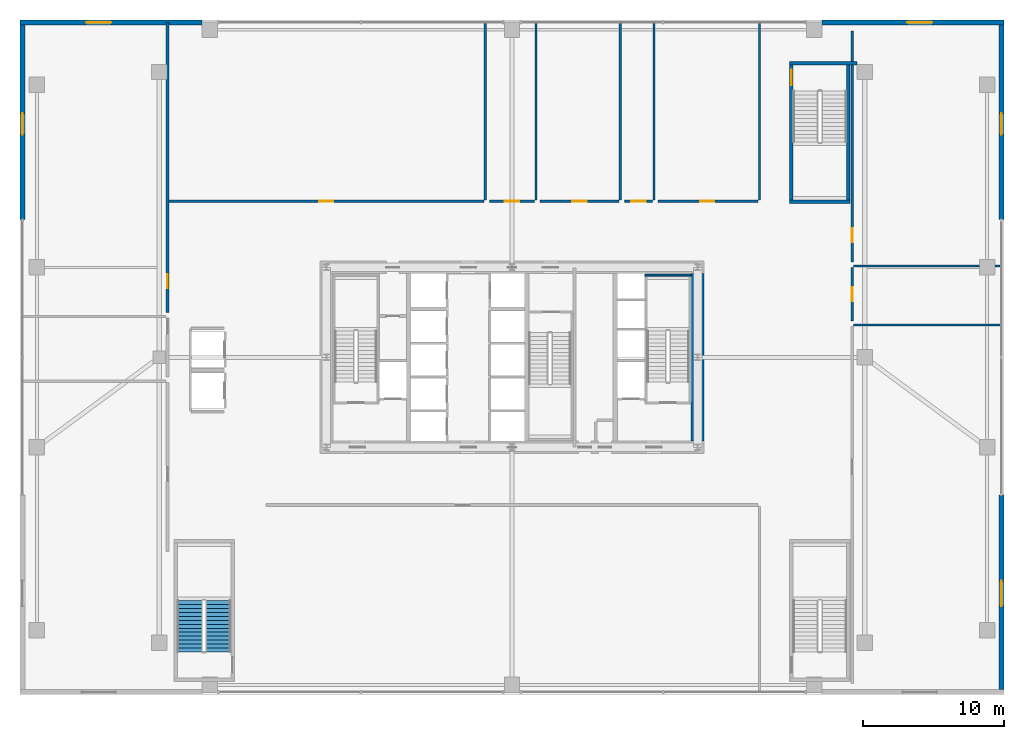
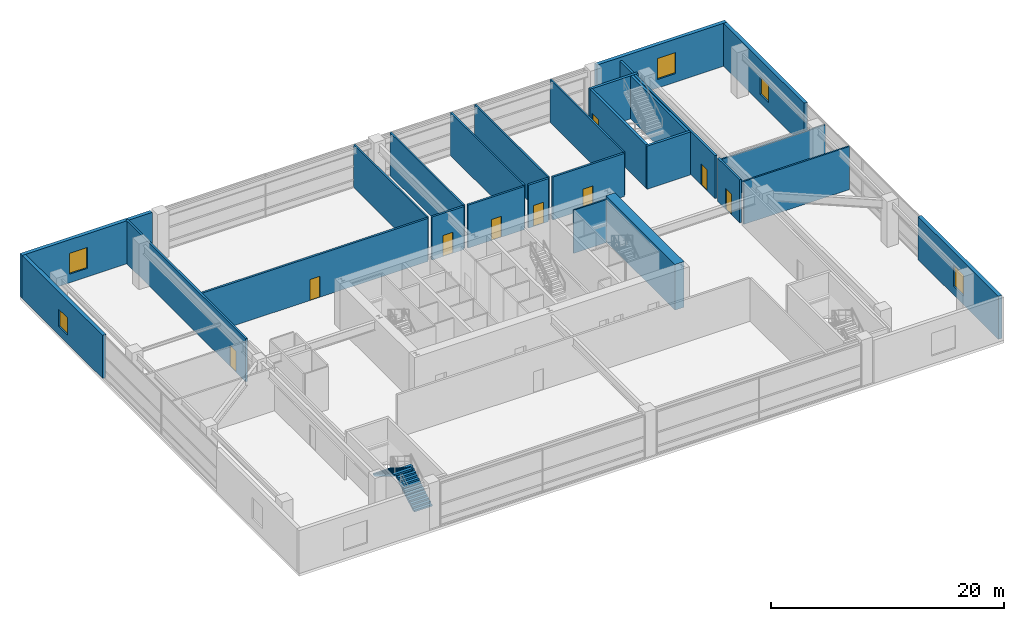
# One storey, part 35 of 38: 26 walls, 9 doors, 5 windows, 2 stair flights, 14 openings, 1 element without a shape of its own.
"""IFC4 building model written with IfcOpenShell, lengths in metres."""

from ifc_helpers import new_model, si_unit, direction, frame, frame_2d, origin, place, context, subcontext, project, spatial, polyline, rectangle, outline, extrude, source, transform, mapped, material, layer, layer_set, type_object, element, fill, aggregate, save


model = new_model("IFC4")

# Units and contexts
model_context = context("Model", 3, precision=1e-05, world=origin(), true_north=direction((0.0, 1.0)))
body_context = subcontext(model_context, "Body", "Model", "MODEL_VIEW")
ifc_project = project(units=[si_unit("LENGTHUNIT", "METRE"), si_unit("AREAUNIT", "SQUARE_METRE"), si_unit("VOLUMEUNIT", "CUBIC_METRE"), si_unit("PLANEANGLEUNIT", "RADIAN"), si_unit("MASSUNIT", "GRAM", prefix="KILO"), si_unit("THERMODYNAMICTEMPERATUREUNIT", "KELVIN"), si_unit("POWERUNIT", "WATT")], contexts=[model_context])

# Site, building, storey
site_placement = place(None, origin())
site = spatial("IfcSite", under=ifc_project, at=site_placement, CompositionType="ELEMENT")
building_placement = place(site_placement, origin())
building = spatial("IfcBuilding", under=site, at=building_placement, Name="Yuzanri Waterfront Tower", CompositionType="ELEMENT")
storey_placement = place(building_placement, frame((0.0, 0.0, 10.199951171875)))
storey = spatial("IfcBuildingStorey", under=building, at=storey_placement, Name="L03", CompositionType="ELEMENT", Elevation=10.199951171875)

# Wall, opening, door
ifc_material_1 = material(Name="Autoclaved Aerated Concrete Blockwork", Category="masonry")
ifc_layer_1 = layer(ifc_material_1, 0.199951171875)
ifc_layer_set_1 = layer_set([ifc_layer_1], Name="Autoclaved Aerated Concrete Blockwork")
wall_type_1 = type_object("IfcWallType", Name="Corridor and Unit Party Fire Wall 200", PredefinedType="PARTITIONING", material=ifc_layer_set_1)
wall_1_placement = place(storey_placement, frame((12.5, 29.0, 0.0), z_axis=(0.0, 0.0, 1.0), x_axis=(0.0, 1.0, 0.0)))
wall_1 = element("IfcWall", 1, at=wall_1_placement, inside=storey, type_object=wall_type_1, Name="L03 Partition PRW-L03-028-E", PredefinedType="PARTITIONING", context=body_context, shape_type="SweptSolid", body=[
    extrude(rectangle(XDim=20.6201171875, YDim=0.199951171875, at=frame_2d((10.31005859375, 0.0))), origin(), (0.0, 0.0, 1.0), 4.52001953125),
])
opening_1_placement = place(wall_1_placement, frame((1.699951171875, 0.0, 0.0)))
opening_1 = element("IfcOpeningElement", 2, at=opening_1_placement, cuts=wall_1, Name="Opening FD-1000", PredefinedType="OPENING", context=body_context, shape_type="SweptSolid", body=[
    extrude(rectangle(XDim=1.0, YDim=2.199951171875, at=frame_2d((0.5, 1.10009765625))), frame((0.0, 0.11474609375, 0.0), z_axis=(0.0, -1.0, 0.0), x_axis=(1.0, 0.0, 0.0)), (0.0, 0.0, 1.0), 0.229736328125),
])
ifc_material_2 = material(Name="Engineered Oak Fire-Rated Timber", Category="wood")
door_type_1 = type_object("IfcDoorType", Name="Guestroom and Apartment Entrance Fire Door 1000x2200", OperationType="NOTDEFINED", PredefinedType="DOOR", material=ifc_material_2)
shared_shape_1 = source(origin(), body_context, "Body", "SweptSolid", [
    extrude(rectangle(XDim=1.0, YDim=2.199951171875, at=frame_2d((0.5, 1.10009765625))), frame((0.0, 0.02490234375, 0.0), z_axis=(0.0, -1.0, 0.0), x_axis=(1.0, 0.0, 0.0)), (0.0, 0.0, 1.0), 0.050048828125),
])
door_1_placement = place(opening_1_placement, origin())
door_1 = element("IfcDoor", 3, at=door_1_placement, inside=storey, type_object=door_type_1, Name="L03 Banquet Cold Larder Store", OperationType="SINGLE_SWING_RIGHT", OverallHeight=2.199951171875, OverallWidth=1.0, PredefinedType="DOOR", context=body_context, shape_type="MappedRepresentation", body=[
    mapped(shared_shape_1, transform((0.0, 0.0, 0.0), scale=1.0)),
])
fill(opening_1, door_1)

wall_2_placement = place(storey_placement, frame((61.199951171875, 28.39990234375, 0.0), z_axis=(0.0, 0.0, 1.0), x_axis=(0.0, 1.0, 0.0)))
wall_2 = element("IfcWall", 4, at=wall_2_placement, inside=storey, type_object=wall_type_1, Name="L03 Partition PRW-L03-030-W", PredefinedType="PARTITIONING", context=body_context, shape_type="SweptSolid", body=[
    extrude(rectangle(XDim=3.800048828125, YDim=0.199951171875, at=frame_2d((1.89990234375, 0.0))), origin(), (0.0, 0.0, 1.0), 4.52001953125),
])
opening_2_placement = place(wall_2_placement, frame((1.39990234375, 0.0, 0.0)))
opening_2 = element("IfcOpeningElement", 5, at=opening_2_placement, cuts=wall_2, Name="Opening FD-1000", PredefinedType="OPENING", context=body_context, shape_type="SweptSolid", body=[
    extrude(rectangle(XDim=1.0, YDim=2.199951171875, at=frame_2d((0.5, 1.10009765625))), frame((0.0, 0.11474609375, 0.0), z_axis=(0.0, -1.0, 0.0), x_axis=(1.0, 0.0, 0.0)), (0.0, 0.0, 1.0), 0.229736328125),
])
door_2_placement = place(opening_2_placement, origin())
door_2 = element("IfcDoor", 6, at=door_2_placement, inside=storey, type_object=door_type_1, Name="L03 Brasserie Pastry Kitchen", OperationType="SINGLE_SWING_RIGHT", OverallHeight=2.199951171875, OverallWidth=1.0, PredefinedType="DOOR", context=body_context, shape_type="MappedRepresentation", body=[
    mapped(shared_shape_1, transform((0.0, 0.0, 0.0), scale=1.0)),
])
fill(opening_2, door_2)

wall_3_placement = place(storey_placement, frame((61.199951171875, 32.60009765625, 0.0), z_axis=(0.0, 0.0, 1.0), x_axis=(0.0, 1.0, 0.0)))
wall_3 = element("IfcWall", 7, at=wall_3_placement, inside=storey, type_object=wall_type_1, Name="L03 Partition PRW-L03-031-W", PredefinedType="PARTITIONING", context=body_context, shape_type="SweptSolid", body=[
    extrude(rectangle(XDim=16.39990234375, YDim=0.199951171875, at=frame_2d((8.199951171875, 0.0))), origin(), (0.0, 0.0, 1.0), 4.52001953125),
])
opening_3_placement = place(wall_3_placement, frame((1.39990234375, 0.0, 0.0)))
opening_3 = element("IfcOpeningElement", 8, at=opening_3_placement, cuts=wall_3, Name="Opening FD-1000", PredefinedType="OPENING", context=body_context, shape_type="SweptSolid", body=[
    extrude(rectangle(XDim=1.0, YDim=2.199951171875, at=frame_2d((0.5, 1.10009765625))), frame((0.0, 0.11474609375, 0.0), z_axis=(0.0, -1.0, 0.0), x_axis=(1.0, 0.0, 0.0)), (0.0, 0.0, 1.0), 0.229736328125),
])
door_3_placement = place(opening_3_placement, origin())
door_3 = element("IfcDoor", 9, at=door_3_placement, inside=storey, type_object=door_type_1, Name="L03 Dry Beverage Store", OperationType="SINGLE_SWING_LEFT", OverallHeight=2.199951171875, OverallWidth=1.0, PredefinedType="DOOR", context=body_context, shape_type="MappedRepresentation", body=[
    mapped(shared_shape_1, transform((0.0, 0.0, 0.0), scale=1.0)),
])
fill(opening_3, door_3)

wall_4_placement = place(storey_placement, frame((12.60009765625, 36.89990234375, 0.0), z_axis=(0.0, 0.0, 1.0), x_axis=(1.0, 0.0, 0.0)))
wall_4 = element("IfcWall", 10, at=wall_4_placement, inside=storey, type_object=wall_type_1, Name="L03 Partition PRW-L03-032-S", PredefinedType="PARTITIONING", context=body_context, shape_type="SweptSolid", body=[
    extrude(rectangle(XDim=22.39990234375, YDim=0.199951171875, at=frame_2d((11.199951171875, 0.0))), origin(), (0.0, 0.0, 1.0), 4.52001953125),
])
opening_4_placement = place(wall_4_placement, frame((10.699951171875, 0.0, 0.0)))
opening_4 = element("IfcOpeningElement", 11, at=opening_4_placement, cuts=wall_4, Name="Opening FD-1000", PredefinedType="OPENING", context=body_context, shape_type="SweptSolid", body=[
    extrude(rectangle(XDim=1.0, YDim=2.199951171875, at=frame_2d((0.5, 1.10009765625))), frame((0.0, 0.11474609375, 0.0), z_axis=(0.0, -1.0, 0.0), x_axis=(1.0, 0.0, 0.0)), (0.0, 0.0, 1.0), 0.229736328125),
])
door_4_placement = place(opening_4_placement, origin())
door_4 = element("IfcDoor", 12, at=door_4_placement, inside=storey, type_object=door_type_1, Name="L03 Sommelier Wine Tasting Cellar", OperationType="SINGLE_SWING_RIGHT", OverallHeight=2.199951171875, OverallWidth=1.0, PredefinedType="DOOR", context=body_context, shape_type="MappedRepresentation", body=[
    mapped(shared_shape_1, transform((0.0, 0.0, 0.0), scale=1.0)),
])
fill(opening_4, door_4)

wall_5_placement = place(storey_placement, frame((35.39990234375, 36.89990234375, 0.0), z_axis=(0.0, 0.0, 1.0), x_axis=(1.0, 0.0, 0.0)))
wall_5 = element("IfcWall", 13, at=wall_5_placement, inside=storey, type_object=wall_type_1, Name="L03 Partition PRW-L03-033-S", PredefinedType="PARTITIONING", context=body_context, shape_type="SweptSolid", body=[
    extrude(rectangle(XDim=3.2001953125, YDim=0.199951171875, at=frame_2d((1.60009765625, 0.0))), origin(), (0.0, 0.0, 1.0), 4.52001953125),
])
opening_5_placement = place(wall_5_placement, frame((1.10009765625, 0.0, 0.0)))
opening_5 = element("IfcOpeningElement", 14, at=opening_5_placement, cuts=wall_5, Name="Opening FD-1000", PredefinedType="OPENING", context=body_context, shape_type="SweptSolid", body=[
    extrude(rectangle(XDim=1.0, YDim=2.199951171875, at=frame_2d((0.5, 1.10009765625))), frame((0.0, 0.11474609375, 0.0), z_axis=(0.0, -1.0, 0.0), x_axis=(1.0, 0.0, 0.0)), (0.0, 0.0, 1.0), 0.229736328125),
])
door_5_placement = place(opening_5_placement, origin())
door_5 = element("IfcDoor", 15, at=door_5_placement, inside=storey, type_object=door_type_1, Name="L03 Specialty Tea Kitchen", OperationType="SINGLE_SWING_LEFT", OverallHeight=2.199951171875, OverallWidth=1.0, PredefinedType="DOOR", context=body_context, shape_type="MappedRepresentation", body=[
    mapped(shared_shape_1, transform((0.0, 0.0, 0.0), scale=1.0)),
])
fill(opening_5, door_5)

wall_6_placement = place(storey_placement, frame((39.0, 36.89990234375, 0.0), z_axis=(0.0, 0.0, 1.0), x_axis=(1.0, 0.0, 0.0)))
wall_6 = element("IfcWall", 16, at=wall_6_placement, inside=storey, type_object=wall_type_1, Name="L03 Partition PRW-L03-034-S", PredefinedType="PARTITIONING", context=body_context, shape_type="SweptSolid", body=[
    extrude(rectangle(XDim=5.60009765625, YDim=0.199951171875, at=frame_2d((2.800048828125, 0.0))), origin(), (0.0, 0.0, 1.0), 4.52001953125),
])
opening_6_placement = place(wall_6_placement, frame((2.300048828125, 0.0, 0.0)))
opening_6 = element("IfcOpeningElement", 17, at=opening_6_placement, cuts=wall_6, Name="Opening FD-1000", PredefinedType="OPENING", context=body_context, shape_type="SweptSolid", body=[
    extrude(rectangle(XDim=1.0, YDim=2.199951171875, at=frame_2d((0.5, 1.10009765625))), frame((0.0, 0.11474609375, 0.0), z_axis=(0.0, -1.0, 0.0), x_axis=(1.0, 0.0, 0.0)), (0.0, 0.0, 1.0), 0.229736328125),
])
door_6_placement = place(opening_6_placement, origin())
door_6 = element("IfcDoor", 18, at=door_6_placement, inside=storey, type_object=door_type_1, Name="L03 Public Restroom", OperationType="SINGLE_SWING_RIGHT", OverallHeight=2.199951171875, OverallWidth=1.0, PredefinedType="DOOR", context=body_context, shape_type="MappedRepresentation", body=[
    mapped(shared_shape_1, transform((0.0, 0.0, 0.0), scale=1.0)),
])
fill(opening_6, door_6)

wall_7_placement = place(storey_placement, frame((45.0, 36.89990234375, 0.0), z_axis=(0.0, 0.0, 1.0), x_axis=(1.0, 0.0, 0.0)))
wall_7 = element("IfcWall", 19, at=wall_7_placement, inside=storey, type_object=wall_type_1, Name="L03 Partition PRW-L03-035-S", PredefinedType="PARTITIONING", context=body_context, shape_type="SweptSolid", body=[
    extrude(rectangle(XDim=2.0, YDim=0.199951171875, at=frame_2d((1.0, 0.0))), origin(), (0.0, 0.0, 1.0), 4.52001953125),
])
opening_7_placement = place(wall_7_placement, frame((0.5, 0.0, 0.0)))
opening_7 = element("IfcOpeningElement", 20, at=opening_7_placement, cuts=wall_7, Name="Opening FD-1000", PredefinedType="OPENING", context=body_context, shape_type="SweptSolid", body=[
    extrude(rectangle(XDim=1.0, YDim=2.199951171875, at=frame_2d((0.5, 1.10009765625))), frame((0.0, 0.11474609375, 0.0), z_axis=(0.0, -1.0, 0.0), x_axis=(1.0, 0.0, 0.0)), (0.0, 0.0, 1.0), 0.229736328125),
])
door_7_placement = place(opening_7_placement, origin())
door_7 = element("IfcDoor", 21, at=door_7_placement, inside=storey, type_object=door_type_1, Name="L03 Accessible WC", OperationType="SINGLE_SWING_LEFT", OverallHeight=2.199951171875, OverallWidth=1.0, PredefinedType="DOOR", context=body_context, shape_type="MappedRepresentation", body=[
    mapped(shared_shape_1, transform((0.0, 0.0, 0.0), scale=1.0)),
])
fill(opening_7, door_7)

wall_8_placement = place(storey_placement, frame((47.39990234375, 36.89990234375, 0.0), z_axis=(0.0, 0.0, 1.0), x_axis=(1.0, 0.0, 0.0)))
wall_8 = element("IfcWall", 22, at=wall_8_placement, inside=storey, type_object=wall_type_1, Name="L03 Partition PRW-L03-036-S", PredefinedType="PARTITIONING", context=body_context, shape_type="SweptSolid", body=[
    extrude(rectangle(XDim=7.10009765625, YDim=0.199951171875, at=frame_2d((3.550048828125, 0.0))), origin(), (0.0, 0.0, 1.0), 4.52001953125),
])
opening_8_placement = place(wall_8_placement, frame((3.0, 0.0, 0.0)))
opening_8 = element("IfcOpeningElement", 23, at=opening_8_placement, cuts=wall_8, Name="Opening FD-1000", PredefinedType="OPENING", context=body_context, shape_type="SweptSolid", body=[
    extrude(rectangle(XDim=1.0, YDim=2.199951171875, at=frame_2d((0.5, 1.10009765625))), frame((0.0, 0.11474609375, 0.0), z_axis=(0.0, -1.0, 0.0), x_axis=(1.0, 0.0, 0.0)), (0.0, 0.0, 1.0), 0.229736328125),
])
door_8_placement = place(opening_8_placement, origin())
door_8 = element("IfcDoor", 24, at=door_8_placement, inside=storey, type_object=door_type_1, Name="L03 Tableware Store", OperationType="SINGLE_SWING_RIGHT", OverallHeight=2.199951171875, OverallWidth=1.0, PredefinedType="DOOR", context=body_context, shape_type="MappedRepresentation", body=[
    mapped(shared_shape_1, transform((0.0, 0.0, 0.0), scale=1.0)),
])
fill(opening_8, door_8)

# Wall, opening, window
ifc_material_3 = material(Name="Honed Chongqing Dark Basalt Stone", Category="masonry")
ifc_layer_2 = layer(ifc_material_3, 0.360107421875)
ifc_layer_set_2 = layer_set([ifc_layer_2], Name="Honed Chongqing Dark Basalt Stone")
wall_type_2 = type_object("IfcWallType", Name="Honed Basalt Stone Masonry-Frame Spandrel Wall 360", PredefinedType="SOLIDWALL", material=ifc_layer_set_2)
wall_9_placement = place(storey_placement, frame((2.0, 49.6201171875, 0.0), z_axis=(0.0, 0.0, 1.0), x_axis=(1.0, 0.0, 0.0)))
wall_9 = element("IfcWall", 25, at=wall_9_placement, inside=storey, type_object=wall_type_2, Name="L03 North-West Basalt Wall", PredefinedType="SOLIDWALL", context=body_context, shape_type="SweptSolid", body=[
    extrude(rectangle(XDim=12.929931640625, YDim=0.360107421875, at=frame_2d((6.46484375, 0.0))), origin(), (0.0, 0.0, 1.0), 4.52001953125),
])
opening_9_placement = place(wall_9_placement, frame((4.699951171875, 0.0, 0.89990234375)))
opening_9 = element("IfcOpeningElement", 26, at=opening_9_placement, cuts=wall_9, Name="Opening WN-01", PredefinedType="OPENING", context=body_context, shape_type="SweptSolid", body=[
    extrude(rectangle(XDim=1.800048828125, YDim=2.199951171875, at=frame_2d((0.89990234375, 1.10009765625))), frame((0.0, 0.19482421875, 0.0), z_axis=(0.0, -1.0, 0.0), x_axis=(1.0, 0.0, 0.0)), (0.0, 0.0, 1.0), 0.389892578125),
])
ifc_material_4 = material(Name="Double-Silver Low-E Insulated Glass", Category="glass")
window_type_1 = type_object("IfcWindowType", Name="Anodized Bronze Recessed Bronze Frame Double Casement Window 1800x2200", PartitioningType="SINGLE_PANEL", PredefinedType="WINDOW", material=ifc_material_4)
shared_shape_2 = source(origin(), body_context, "Body", "SweptSolid", [
    extrude(rectangle(XDim=1.800048828125, YDim=2.199951171875, at=frame_2d((0.89990234375, 1.10009765625))), frame((0.0, 0.030029296875, 0.0), z_axis=(0.0, -1.0, 0.0), x_axis=(1.0, 0.0, 0.0)), (0.0, 0.0, 1.0), 0.06005859375),
])
window_1_placement = place(opening_9_placement, origin())
window_1 = element("IfcWindow", 27, at=window_1_placement, inside=storey, type_object=window_type_1, Name="L03 NW Casement Window", OverallHeight=2.199951171875, OverallWidth=1.800048828125, PartitioningType="SINGLE_PANEL", PredefinedType="WINDOW", context=body_context, shape_type="MappedRepresentation", body=[
    mapped(shared_shape_2, transform((0.0, 0.0, 0.0), scale=1.0)),
])
fill(opening_9, window_1)

wall_10_placement = place(storey_placement, frame((59.070068359375, 49.6201171875, 0.0), z_axis=(0.0, 0.0, 1.0), x_axis=(1.0, 0.0, 0.0)))
wall_10 = element("IfcWall", 28, at=wall_10_placement, inside=storey, type_object=wall_type_2, Name="L03 North-East Basalt Wall", PredefinedType="SOLIDWALL", context=body_context, shape_type="SweptSolid", body=[
    extrude(rectangle(XDim=12.929931640625, YDim=0.360107421875, at=frame_2d((6.46484375, 0.0))), origin(), (0.0, 0.0, 1.0), 4.52001953125),
])
opening_10_placement = place(wall_10_placement, frame((6.030029296875, 0.0, 0.89990234375)))
opening_10 = element("IfcOpeningElement", 29, at=opening_10_placement, cuts=wall_10, Name="Opening WN-01", PredefinedType="OPENING", context=body_context, shape_type="SweptSolid", body=[
    extrude(rectangle(XDim=1.800048828125, YDim=2.199951171875, at=frame_2d((0.89990234375, 1.10009765625))), frame((0.0, 0.19482421875, 0.0), z_axis=(0.0, -1.0, 0.0), x_axis=(1.0, 0.0, 0.0)), (0.0, 0.0, 1.0), 0.389892578125),
])
window_2_placement = place(opening_10_placement, origin())
window_2 = element("IfcWindow", 30, at=window_2_placement, inside=storey, type_object=window_type_1, Name="L03 NE Casement Window", OverallHeight=2.199951171875, OverallWidth=1.800048828125, PartitioningType="SINGLE_PANEL", PredefinedType="WINDOW", context=body_context, shape_type="MappedRepresentation", body=[
    mapped(shared_shape_2, transform((0.0, 0.0, 0.0), scale=1.0)),
])
fill(opening_10, window_2)

wall_11_placement = place(storey_placement, frame((2.179931640625, 35.60009765625, 0.0), z_axis=(0.0, 0.0, 1.0), x_axis=(0.0, 1.0, 0.0)))
wall_11 = element("IfcWall", 31, at=wall_11_placement, inside=storey, type_object=wall_type_2, Name="L03 W North Basalt Pier", PredefinedType="SOLIDWALL", context=body_context, shape_type="SweptSolid", body=[
    extrude(rectangle(XDim=13.83984375, YDim=0.360107421875, at=frame_2d((6.919921875, 0.0))), origin(), (0.0, 0.0, 1.0), 4.52001953125),
])
opening_11_placement = place(wall_11_placement, frame((6.050048828125, 0.0, 0.89990234375)))
opening_11 = element("IfcOpeningElement", 32, at=opening_11_placement, cuts=wall_11, Name="Opening WN-04", PredefinedType="OPENING", context=body_context, shape_type="SweptSolid", body=[
    extrude(rectangle(XDim=1.5, YDim=1.800048828125, at=frame_2d((0.75, 0.89990234375))), frame((0.0, 0.19482421875, 0.0), z_axis=(0.0, -1.0, 0.0), x_axis=(1.0, 0.0, 0.0)), (0.0, 0.0, 1.0), 0.389892578125),
])
ifc_material_5 = material(Name="Double-Silver Low-E Insulated Glass", Category="glass")
window_type_2 = type_object("IfcWindowType", Name="Anodized Bronze Suite Operable Tilt-Turn Window 1500x1800", PartitioningType="SINGLE_PANEL", PredefinedType="WINDOW", material=ifc_material_5)
shared_shape_3 = source(origin(), body_context, "Body", "SweptSolid", [
    extrude(rectangle(XDim=1.5, YDim=1.800048828125, at=frame_2d((0.75, 0.89990234375))), frame((0.0, 0.030029296875, 0.0), z_axis=(0.0, -1.0, 0.0), x_axis=(1.0, 0.0, 0.0)), (0.0, 0.0, 1.0), 0.06005859375),
])
window_3_placement = place(opening_11_placement, origin())
window_3 = element("IfcWindow", 33, at=window_3_placement, inside=storey, type_object=window_type_2, Name="L03 WN Window", OverallHeight=1.800048828125, OverallWidth=1.5, PartitioningType="SINGLE_PANEL", PredefinedType="WINDOW", context=body_context, shape_type="MappedRepresentation", body=[
    mapped(shared_shape_3, transform((0.0, 0.0, 0.0), scale=1.0)),
])
fill(opening_11, window_3)

wall_12_placement = place(storey_placement, frame((71.820068359375, 2.159912109375, 0.0), z_axis=(0.0, 0.0, 1.0), x_axis=(0.0, 1.0, 0.0)))
wall_12 = element("IfcWall", 34, at=wall_12_placement, inside=storey, type_object=wall_type_2, Name="L03 E South Basalt Pier", PredefinedType="SOLIDWALL", context=body_context, shape_type="SweptSolid", body=[
    extrude(rectangle(XDim=13.840087890625, YDim=0.360107421875, at=frame_2d((6.919921875, 0.0))), origin(), (0.0, 0.0, 1.0), 4.52001953125),
])
opening_12_placement = place(wall_12_placement, frame((5.93994140625, 0.0, 0.89990234375)))
opening_12 = element("IfcOpeningElement", 35, at=opening_12_placement, cuts=wall_12, Name="Opening WN-01", PredefinedType="OPENING", context=body_context, shape_type="SweptSolid", body=[
    extrude(rectangle(XDim=1.800048828125, YDim=2.199951171875, at=frame_2d((0.89990234375, 1.10009765625))), frame((0.0, 0.19482421875, 0.0), z_axis=(0.0, -1.0, 0.0), x_axis=(1.0, 0.0, 0.0)), (0.0, 0.0, 1.0), 0.389892578125),
])
window_4_placement = place(opening_12_placement, origin())
window_4 = element("IfcWindow", 36, at=window_4_placement, inside=storey, type_object=window_type_1, Name="L03 ES Window", OverallHeight=2.199951171875, OverallWidth=1.800048828125, PartitioningType="SINGLE_PANEL", PredefinedType="WINDOW", context=body_context, shape_type="MappedRepresentation", body=[
    mapped(shared_shape_2, transform((0.0, 0.0, 0.0), scale=1.0)),
])
fill(opening_12, window_4)

wall_13_placement = place(storey_placement, frame((71.820068359375, 35.60009765625, 0.0), z_axis=(0.0, 0.0, 1.0), x_axis=(0.0, 1.0, 0.0)))
wall_13 = element("IfcWall", 37, at=wall_13_placement, inside=storey, type_object=wall_type_2, Name="L03 E North Basalt Pier", PredefinedType="SOLIDWALL", context=body_context, shape_type="SweptSolid", body=[
    extrude(rectangle(XDim=13.83984375, YDim=0.360107421875, at=frame_2d((6.919921875, 0.0))), origin(), (0.0, 0.0, 1.0), 4.52001953125),
])
opening_13_placement = place(wall_13_placement, frame((6.050048828125, 0.0, 0.89990234375)))
opening_13 = element("IfcOpeningElement", 38, at=opening_13_placement, cuts=wall_13, Name="Opening WN-04", PredefinedType="OPENING", context=body_context, shape_type="SweptSolid", body=[
    extrude(rectangle(XDim=1.5, YDim=1.800048828125, at=frame_2d((0.75, 0.89990234375))), frame((0.0, 0.19482421875, 0.0), z_axis=(0.0, -1.0, 0.0), x_axis=(1.0, 0.0, 0.0)), (0.0, 0.0, 1.0), 0.389892578125),
])
window_5_placement = place(opening_13_placement, origin())
window_5 = element("IfcWindow", 39, at=window_5_placement, inside=storey, type_object=window_type_2, Name="L03 EN Window", OverallHeight=1.800048828125, OverallWidth=1.5, PartitioningType="SINGLE_PANEL", PredefinedType="WINDOW", context=body_context, shape_type="MappedRepresentation", body=[
    mapped(shared_shape_3, transform((0.0, 0.0, 0.0), scale=1.0)),
])
fill(opening_13, window_5)

# Wall, opening, door
ifc_material_6 = material(Name="Concrete C40", Category="concrete")
ifc_layer_3 = layer(ifc_material_6, 0.25)
ifc_layer_set_3 = layer_set([ifc_layer_3], Name="Concrete C40")
wall_type_3 = type_object("IfcWallType", Name="Smoke-Proof Stair and Lift Shaft Wall 250", PredefinedType="SOLIDWALL", material=ifc_layer_set_3)
wall_14_placement = place(storey_placement, frame((56.875, 37.0, 0.0), z_axis=(0.0, 0.0, 1.0), x_axis=(0.0, 1.0, 0.0)))
wall_14 = element("IfcWall", 40, at=wall_14_placement, inside=storey, type_object=wall_type_3, Name="L03 Shaft Wall PSTW-L03-PST-03-W", PredefinedType="SOLIDWALL", context=body_context, shape_type="SweptSolid", body=[
    extrude(rectangle(XDim=9.60009765625, YDim=0.25, at=frame_2d((4.800048828125, 0.0))), origin(), (0.0, 0.0, 1.0), 4.52001953125),
])
opening_14_placement = place(wall_14_placement, frame((8.14990234375, 0.0, 0.0)))
opening_14 = element("IfcOpeningElement", 41, at=opening_14_placement, cuts=wall_14, Name="Opening FD-1100", PredefinedType="OPENING", context=body_context, shape_type="SweptSolid", body=[
    extrude(rectangle(XDim=1.10009765625, YDim=2.199951171875, at=frame_2d((0.550048828125, 1.10009765625))), frame((0.0, 0.139892578125, 0.0), z_axis=(0.0, -1.0, 0.0), x_axis=(1.0, 0.0, 0.0)), (0.0, 0.0, 1.0), 0.27978515625),
])
ifc_material_7 = material(Name="Painted Galvanized Fire Steel", Category="steel")
door_type_2 = type_object("IfcDoorType", Name="Smoke-Proof Stair and Lobby Fire Door 1100x2200", OperationType="NOTDEFINED", PredefinedType="DOOR", material=ifc_material_7)
shared_shape_4 = source(origin(), body_context, "Body", "SweptSolid", [
    extrude(rectangle(XDim=1.10009765625, YDim=2.199951171875, at=frame_2d((0.550048828125, 1.10009765625))), frame((0.0, 0.02490234375, 0.0), z_axis=(0.0, -1.0, 0.0), x_axis=(1.0, 0.0, 0.0)), (0.0, 0.0, 1.0), 0.050048828125),
])
door_9_placement = place(opening_14_placement, origin())
door_9 = element("IfcDoor", 42, at=door_9_placement, inside=storey, type_object=door_type_2, Name="L03 PST-03 Stair Door", OperationType="SINGLE_SWING_LEFT", OverallHeight=2.199951171875, OverallWidth=1.10009765625, PredefinedType="DOOR", context=body_context, shape_type="MappedRepresentation", body=[
    mapped(shared_shape_4, transform((0.0, 0.0, 0.0), scale=1.0)),
])
fill(opening_14, door_9)

# Walls
ifc_material_8 = material(Name="Concrete C60", Category="concrete")
ifc_layer_4 = layer(ifc_material_8, 0.89990234375)
ifc_layer_set_4 = layer_set([ifc_layer_4], Name="Concrete C60")
wall_type_4 = type_object("IfcWallType", Name="Concrete C60 Lower Zone Core Shear Wall 900", PredefinedType="SHEAR", material=ifc_layer_set_4)
shared_shape_5 = source(origin(), body_context, "Body", "SweptSolid", [
    extrude(rectangle(XDim=11.89990234375, YDim=0.89990234375, at=frame_2d((5.949951171875, 0.0))), origin(), (0.0, 0.0, 1.0), 4.800048828125),
])
wall_15_placement = place(storey_placement, frame((50.199951171875, 19.85009765625, 0.0), z_axis=(0.0, 0.0, 1.0), x_axis=(0.0, 1.0, 0.0)))
element("IfcWall", 43, at=wall_15_placement, inside=storey, type_object=wall_type_4, Name="L03 Core East Shear Wall", PredefinedType="SHEAR", context=body_context, shape_type="MappedRepresentation", body=[
    mapped(shared_shape_5, transform((0.0, 0.0, 0.0), scale=1.0)),
])
ifc_material_9 = material(Name="Concrete C40", Category="concrete")
ifc_layer_5 = layer(ifc_material_9, 0.139892578125)
ifc_layer_set_5 = layer_set([ifc_layer_5], Name="Concrete C40")
wall_type_5 = type_object("IfcWallType", Name="Core Stair Liner and Hoistway Shaft Wall 140", PredefinedType="SOLIDWALL", material=ifc_layer_set_5)
shared_shape_6 = source(origin(), body_context, "Body", "SweptSolid", [
    extrude(rectangle(XDim=3.280029296875, YDim=0.139892578125, at=frame_2d((1.64013671875, 0.0))), origin(), (0.0, 0.0, 1.0), 4.52001953125),
])
wall_16_placement = place(storey_placement, frame((46.4599609375, 31.64990234375, 0.0), z_axis=(0.0, 0.0, 1.0), x_axis=(1.0, 0.0, 0.0)))
element("IfcWall", 44, at=wall_16_placement, inside=storey, type_object=wall_type_5, Name="L03 Stair ST-02 North Shaft Wall", PredefinedType="SOLIDWALL", context=body_context, shape_type="MappedRepresentation", body=[
    mapped(shared_shape_6, transform((0.0, 0.0, 0.0), scale=1.0)),
])
shared_shape_7 = source(origin(), body_context, "Body", "SweptSolid", [
    extrude(rectangle(XDim=4.300048828125, YDim=0.25, at=frame_2d((2.14990234375, 0.0))), origin(), (0.0, 0.0, 1.0), 4.52001953125),
])
wall_17_placement = place(storey_placement, frame((56.75, 36.875, 0.0), z_axis=(0.0, 0.0, 1.0), x_axis=(1.0, 0.0, 0.0)))
element("IfcWall", 45, at=wall_17_placement, inside=storey, type_object=wall_type_3, Name="L03 PST-03 South Wall", PredefinedType="SOLIDWALL", context=body_context, shape_type="MappedRepresentation", body=[
    mapped(shared_shape_7, transform((0.0, 0.0, 0.0), scale=1.0)),
])
shared_shape_8 = source(origin(), body_context, "Body", "SweptSolid", [
    extrude(rectangle(XDim=9.60009765625, YDim=0.25, at=frame_2d((4.800048828125, 0.0))), origin(), (0.0, 0.0, 1.0), 4.52001953125),
])
wall_18_placement = place(storey_placement, frame((60.925048828125, 37.0, 0.0), z_axis=(0.0, 0.0, 1.0), x_axis=(0.0, 1.0, 0.0)))
element("IfcWall", 46, at=wall_18_placement, inside=storey, type_object=wall_type_3, Name="L03 Shaft Wall PSTW-L03-PST-03-E", PredefinedType="SOLIDWALL", context=body_context, shape_type="MappedRepresentation", body=[
    mapped(shared_shape_8, transform((0.0, 0.0, 0.0), scale=1.0)),
])
shared_shape_9 = source(origin(), body_context, "Body", "SweptSolid", [
    extrude(rectangle(XDim=4.800048828125, YDim=0.25, at=frame_2d((2.39990234375, 0.0))), origin(), (0.0, 0.0, 1.0), 4.52001953125),
])
wall_19_placement = place(storey_placement, frame((56.75, 46.72509765625, 0.0), z_axis=(0.0, 0.0, 1.0), x_axis=(1.0, 0.0, 0.0)))
element("IfcWall", 47, at=wall_19_placement, inside=storey, type_object=wall_type_3, Name="L03 PST-03 North Wall", PredefinedType="SOLIDWALL", context=body_context, shape_type="MappedRepresentation", body=[
    mapped(shared_shape_9, transform((0.0, 0.0, 0.0), scale=1.0)),
])
ifc_material_10 = material(Name="Gypsum Fireboard Acoustic Stud Wall", Category="gypsum")
ifc_layer_6 = layer(ifc_material_10, 0.159912109375)
ifc_layer_set_6 = layer_set([ifc_layer_6], Name="Gypsum Fireboard Acoustic Stud Wall")
wall_type_6 = type_object("IfcWallType", Name="Acoustic Suite Demising Partition 160", PredefinedType="PARTITIONING", material=ifc_layer_set_6)
shared_shape_10 = source(origin(), body_context, "Body", "SweptSolid", [
    extrude(rectangle(XDim=10.52001953125, YDim=0.159912109375, at=frame_2d((5.260009765625, 0.0))), origin(), (0.0, 0.0, 1.0), 4.52001953125),
])
wall_20_placement = place(storey_placement, frame((61.300048828125, 28.10009765625, 0.0), z_axis=(0.0, 0.0, 1.0), x_axis=(1.0, 0.0, 0.0)))
element("IfcWall", 48, at=wall_20_placement, inside=storey, type_object=wall_type_6, Name="L03-029 North Partition", PredefinedType="PARTITIONING", context=body_context, shape_type="MappedRepresentation", body=[
    mapped(shared_shape_10, transform((0.0, 0.0, 0.0), scale=1.0)),
])
shared_shape_11 = source(origin(), body_context, "Body", "SweptSolid", [
    extrude(rectangle(XDim=12.6201171875, YDim=0.159912109375, at=frame_2d((6.31005859375, 0.0))), origin(), (0.0, 0.0, 1.0), 4.52001953125),
])
for number, where, z_axis, x_axis, name in (
    (49, (35.10009765625, 37.0, 0.0), (0.0, 0.0, 1.0), (0.0, 1.0, 0.0), "L03-032 Demising Wall"),
    (50, (38.699951171875, 37.0, 0.0), (0.0, 0.0, 1.0), (0.0, 1.0, 0.0), "L03-033 Demising Wall"),
    (51, (44.699951171875, 37.0, 0.0), (0.0, 0.0, 1.0), (0.0, 1.0, 0.0), "L03-034 Demising Wall"),
    (52, (47.10009765625, 37.0, 0.0), (0.0, 0.0, 1.0), (0.0, 1.0, 0.0), "L03-035 Demising Wall"),
    (53, (54.60009765625, 37.0, 0.0), (0.0, 0.0, 1.0), (0.0, 1.0, 0.0), "L03-036 Demising Wall"),
):
    element("IfcWall", number, at=place(storey_placement, frame(where, z_axis=z_axis, x_axis=x_axis)), inside=storey, type_object=wall_type_6, Name=name, PredefinedType="PARTITIONING", context=body_context, shape_type="MappedRepresentation", body=[
        mapped(shared_shape_11, transform((0.0, 0.0, 0.0), scale=1.0)),
    ])
shared_shape_12 = source(origin(), body_context, "Body", "SweptSolid", [
    extrude(rectangle(XDim=10.52001953125, YDim=0.159912109375, at=frame_2d((5.260009765625, 0.0))), origin(), (0.0, 0.0, 1.0), 4.215087890625),
])
wall_21_placement = place(storey_placement, frame((61.300048828125, 32.300048828125, 0.0), z_axis=(0.0, 0.0, 1.0), x_axis=(1.0, 0.0, 0.0)))
element("IfcWall", 54, at=wall_21_placement, inside=storey, type_object=wall_type_6, Name="L03-030 North Partition", PredefinedType="PARTITIONING", context=body_context, shape_type="MappedRepresentation", body=[
    mapped(shared_shape_12, transform((0.0, 0.0, 0.0), scale=1.0)),
])

# Stair, stair flights
ifc_material_11 = material(Name="Concrete C40", Category="concrete")
stair_type = type_object("IfcStairType", Name="Concrete C40 Podium Dogleg Exit Stair", PredefinedType="HALF_TURN_STAIR", material=ifc_material_11)
stair_placement = place(storey_placement, origin())
stair = element("IfcStair", 55, at=stair_placement, inside=storey, type_object=stair_type, Name="L03 Podium Public Exit Stair PST-01", PredefinedType="HALF_TURN_STAIR")
ifc_material_12 = material(Name="Concrete C40", Category="concrete")
stair_flight_type = type_object("IfcStairFlightType", Name="Concrete C40 Precast Podium Stair Flight 1400", PredefinedType="STRAIGHT", material=ifc_material_12)
shared_shape_13 = source(origin(), body_context, "Body", "SweptSolid", [
    extrude(outline(polyline([(0.0, 0.0), (0.0, 0.17138671875), (0.280029296875, 0.17138671875), (0.280029296875, 0.3427734375), (0.56005859375, 0.3427734375), (0.56005859375, 0.514404296875), (0.840087890625, 0.514404296875), (0.840087890625, 0.685791015625), (1.1201171875, 0.685791015625), (1.1201171875, 0.857177734375), (1.39990234375, 0.857177734375), (1.39990234375, 1.028564453125), (1.679931640625, 1.028564453125), (1.679931640625, 1.199951171875), (1.9599609375, 1.199951171875), (1.9599609375, 1.371337890625), (2.239990234375, 1.371337890625), (2.239990234375, 1.54296875), (2.52001953125, 1.54296875), (2.52001953125, 1.71435546875), (2.800048828125, 1.71435546875), (2.800048828125, 1.8857421875), (3.080078125, 1.8857421875), (3.080078125, 2.05712890625), (3.360107421875, 2.05712890625), (3.360107421875, 2.228515625), (3.639892578125, 2.228515625), (3.639892578125, 2.39990234375), (3.639892578125, 2.052734375), (0.287109375, 0.0), (0.0, 0.0)])), frame((0.0, 0.89990234375, 0.0), z_axis=(0.0, -1.0, 0.0), x_axis=(1.0, 0.0, 0.0)), (0.0, 0.0, 1.0), 1.800048828125),
])
stair_flight_1_placement = place(storey_placement, frame((16.10009765625, 4.85009765625, 0.0), z_axis=(0.0, 0.0, 1.0), x_axis=(0.0, 1.0, 0.0)))
stair_flight_1 = element("IfcStairFlight", 56, at=stair_flight_1_placement, type_object=stair_flight_type, Name="PST-01 flight 1", NumberOfRisers=14, NumberOfTreads=13, PredefinedType="STRAIGHT", RiserHeight=0.171428571, TreadLength=0.28, context=body_context, shape_type="MappedRepresentation", body=[
    mapped(shared_shape_13, transform((0.0, 0.0, 0.0), scale=1.0)),
])
stair_flight_2_placement = place(storey_placement, frame((14.10009765625, 8.489990234375, 2.400146484375), z_axis=(0.0, 0.0, 1.0), x_axis=(0.0, -1.0, 0.0)))
stair_flight_2 = element("IfcStairFlight", 57, at=stair_flight_2_placement, type_object=stair_flight_type, Name="PST-01 flight 2", NumberOfRisers=14, NumberOfTreads=13, PredefinedType="STRAIGHT", RiserHeight=0.171428571, TreadLength=0.28, context=body_context, shape_type="MappedRepresentation", body=[
    mapped(shared_shape_13, transform((0.0, 0.0, 0.0), scale=1.0)),
])
aggregate(stair, [stair_flight_1, stair_flight_2])

save(model, "model.ifc")
